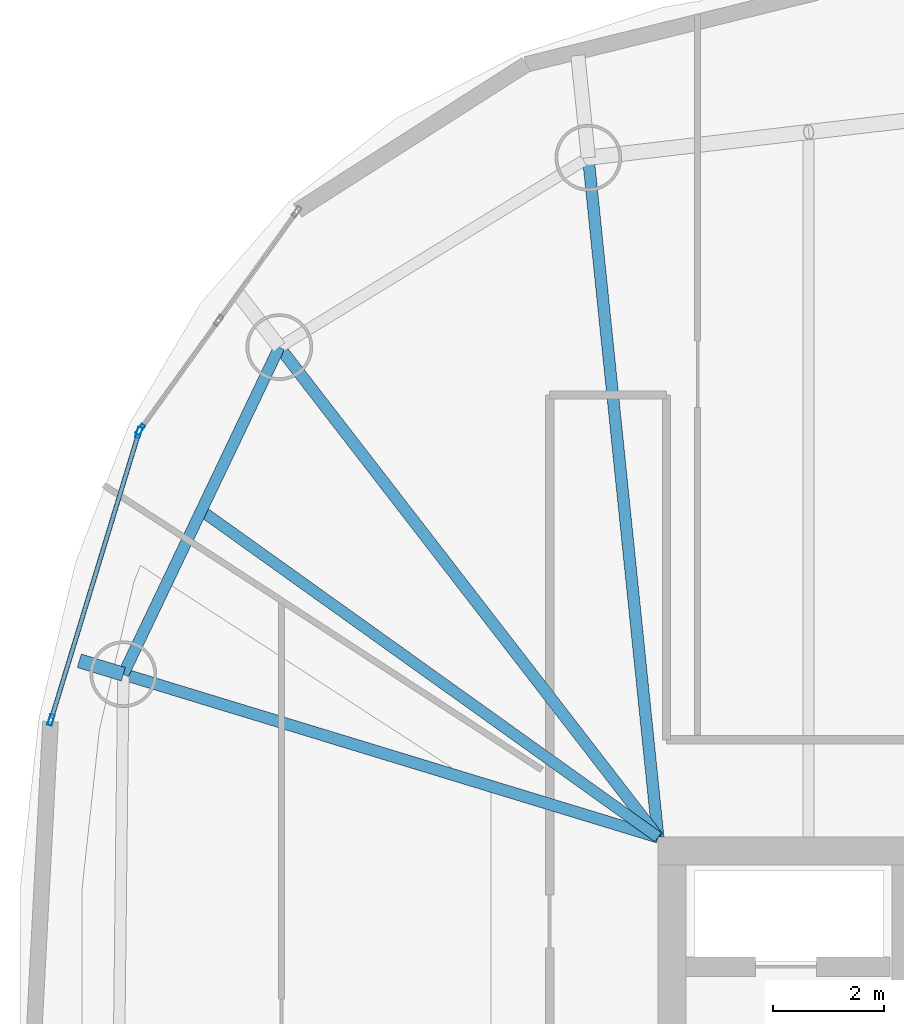
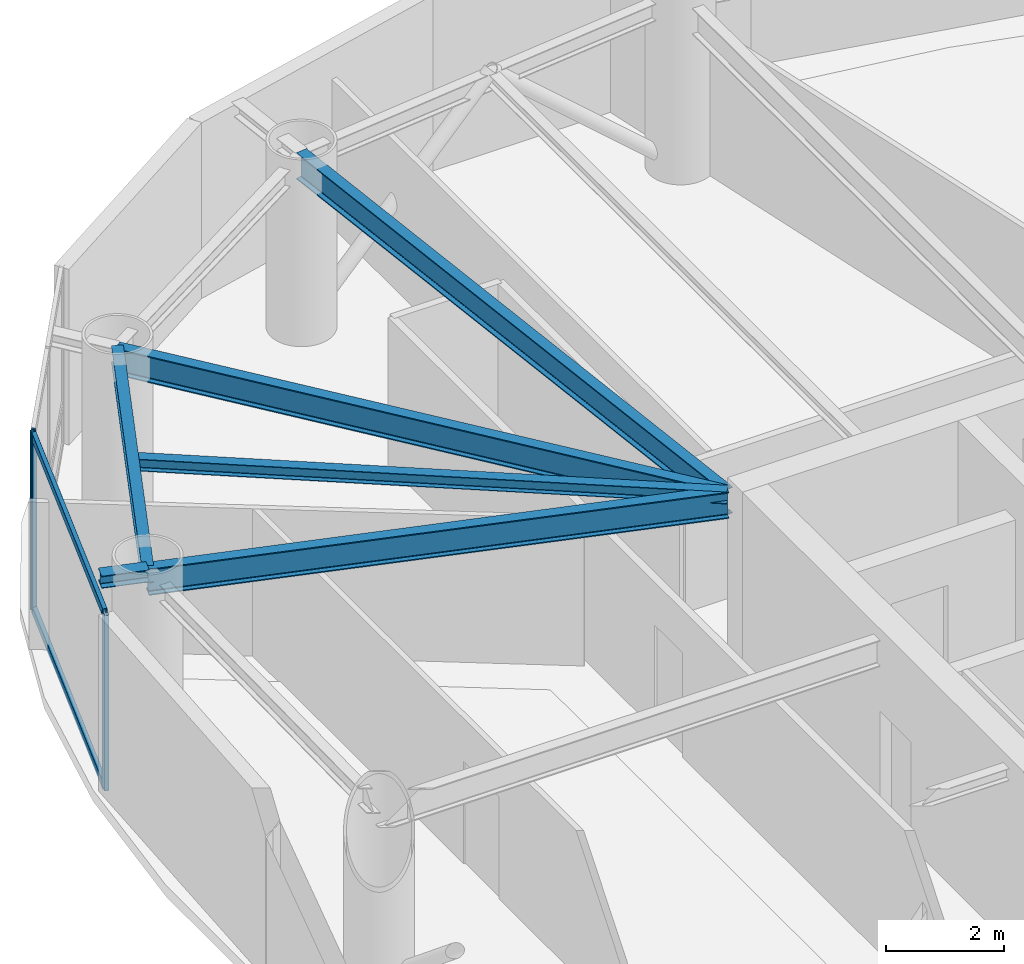
# One storey, part 7 of 19: 6 beams, 5 members, 2 elements without a shape of their own.
"""IFC4 building model written with IfcOpenShell, lengths in metres."""

from ifc_helpers import new_model, si_unit, direction, frame, origin, origin_2d, place, context, subcontext, project, spatial, hollow_rectangle, i_section, extrude, material, layer, layer_set, material_profile, profile_set, type_object, element, aggregate, save


model = new_model("IFC4")

# Units and contexts
model_context = context("Model", 3, precision=1e-05, world=origin(), true_north=direction((0.0, 1.0)))
body_context = subcontext(model_context, "Body", "Model", "MODEL_VIEW")
ifc_project = project(units=[si_unit("LENGTHUNIT", "METRE"), si_unit("AREAUNIT", "SQUARE_METRE"), si_unit("VOLUMEUNIT", "CUBIC_METRE"), si_unit("PLANEANGLEUNIT", "RADIAN"), si_unit("MASSUNIT", "GRAM", prefix="KILO")], contexts=[model_context])

# Site, building, storey
site_placement = place(None, origin())
site = spatial("IfcSite", under=ifc_project, at=site_placement, CompositionType="ELEMENT")
building_placement = place(site_placement, origin())
building = spatial("IfcBuilding", under=site, at=building_placement, Name="Bramvorn Convention Spire", CompositionType="ELEMENT")
storey_placement = place(building_placement, frame((0.0, 0.0, 217.39990234375)))
storey = spatial("IfcBuildingStorey", under=building, at=storey_placement, Name="L55", CompositionType="ELEMENT", Elevation=217.39990234375)

# Beams
ifc_material_1 = material(Name="Steel CSA G40.21 Grade 350 (350W)", Category="steel")
ifc_material_profile_1 = material_profile(ifc_material_1, i_section(OverallWidth=0.201904296875, OverallDepth=0.2470703125, WebThickness=0.00732421875, FlangeThickness=0.010986328125, FilletRadius=0.011962890625, at=origin_2d()))
ifc_profile_set_1 = profile_set([ifc_material_profile_1], Name="Steel CSA G40.21 Grade 350 (350W) - W250X49")
beam_type_1 = type_object("IfcBeamType", Name="BM-W250X49", PredefinedType="JOIST", material=ifc_profile_set_1)
beam_1_placement = place(storey_placement, frame((26.75, 33.449951171875, 3.49658203125), z_axis=(-0.813471895271, 0.581604225916, 0.0), x_axis=(-0.581604225916, -0.813471895271, 0.0)))
element("IfcBeam", 1, at=beam_1_placement, inside=storey, type_object=beam_type_1, Name="L55 composite floor joist 09", PredefinedType="JOIST", context=body_context, shape_type="SweptSolid", body=[
    extrude(i_section(OverallWidth=0.201904296875, OverallDepth=0.2470703125, WebThickness=0.00732421875, FlangeThickness=0.010986328125, FilletRadius=0.011962890625, at=origin_2d()), origin(), (0.0, 0.0, 1.0), 10.093505859375),
])
ifc_material_profile_2 = material_profile(ifc_material_1, i_section(OverallWidth=0.25390625, OverallDepth=0.2529296875, WebThickness=0.008544921875, FlangeThickness=0.01416015625, FilletRadius=0.011962890625, at=origin_2d()))
ifc_profile_set_2 = profile_set([ifc_material_profile_2], Name="Steel CSA G40.21 Grade 350 (350W) - W250X73")
beam_type_2 = type_object("IfcBeamType", Name="BM-W250X73", PredefinedType="BEAM", material=ifc_profile_set_2)
beam_2_placement = place(storey_placement, frame((17.136962890625, 36.380615234375, 3.49365234375), z_axis=(-0.956598759965, 0.291408325952, 0.0), x_axis=(-0.291408325952, -0.956598759965, 0.0)))
element("IfcBeam", 2, at=beam_2_placement, inside=storey, type_object=beam_type_2, Name="L55 slab-edge cantilever tip beam MC10", PredefinedType="BEAM", context=body_context, shape_type="SweptSolid", body=[
    extrude(i_section(OverallWidth=0.25390625, OverallDepth=0.2529296875, WebThickness=0.008544921875, FlangeThickness=0.01416015625, FilletRadius=0.011962890625, at=origin_2d()), origin(), (0.0, 0.0, 1.0), 0.826904296875),
])
ifc_material_profile_3 = material_profile(ifc_material_1, i_section(OverallWidth=0.205078125, OverallDepth=0.35400390625, WebThickness=0.009521484375, FlangeThickness=0.016845703125, FilletRadius=0.014892578125, at=origin_2d()))
ifc_profile_set_3 = profile_set([ifc_material_profile_3], Name="Steel CSA G40.21 Grade 350 (350W) - W360X79")
beam_type_3 = type_object("IfcBeamType", Name="BM-W360X79", PredefinedType="JOIST", material=ifc_profile_set_3)
beam_3_placement = place(storey_placement, frame((19.941650390625, 42.260009765625, 3.443115234375), z_axis=(-0.430556138422, -0.902563799223, 0.0), x_axis=(0.902563799223, -0.430556138422, 0.0)))
element("IfcBeam", 3, at=beam_3_placement, inside=storey, type_object=beam_type_3, Name="L55 mega-column ring beam 09", PredefinedType="JOIST", context=body_context, shape_type="SweptSolid", body=[
    extrude(i_section(OverallWidth=0.205078125, OverallDepth=0.35400390625, WebThickness=0.009521484375, FlangeThickness=0.016845703125, FilletRadius=0.014892578125, at=origin_2d()), origin(), (0.0, 0.0, 1.0), 6.51416015625),
])
ifc_material_profile_4 = material_profile(ifc_material_1, i_section(OverallWidth=0.2119140625, OverallDepth=0.5439453125, WebThickness=0.01318359375, FlangeThickness=0.021240234375, FilletRadius=0.01904296875, at=origin_2d()))
ifc_profile_set_4 = profile_set([ifc_material_profile_4], Name="Steel CSA G40.21 Grade 350 (350W) - W530X123")
beam_type_4 = type_object("IfcBeamType", Name="BM-W530X123", PredefinedType="BEAM", material=ifc_profile_set_4)
beam_4_placement = place(storey_placement, frame((26.75, 33.449951171875, 3.34814453125), z_axis=(-0.10216509146, 0.994767457292, 0.0), x_axis=(-0.994767457292, -0.10216509146, 0.0)))
element("IfcBeam", 4, at=beam_4_placement, inside=storey, type_object=beam_type_4, Name="L55 radial floor girder MC08", PredefinedType="BEAM", context=body_context, shape_type="SweptSolid", body=[
    extrude(i_section(OverallWidth=0.2119140625, OverallDepth=0.5439453125, WebThickness=0.01318359375, FlangeThickness=0.021240234375, FilletRadius=0.01904296875, at=origin_2d()), origin(), (0.0, 0.0, 1.0), 12.278076171875),
])
beam_5_placement = place(storey_placement, frame((26.75, 33.449951171875, 3.34814453125), z_axis=(-0.611479951477, 0.791259925019, 0.0), x_axis=(-0.791259925019, -0.611479951477, 0.0)))
element("IfcBeam", 5, at=beam_5_placement, inside=storey, type_object=beam_type_4, Name="L55 radial floor girder MC09", PredefinedType="BEAM", context=body_context, shape_type="SweptSolid", body=[
    extrude(i_section(OverallWidth=0.2119140625, OverallDepth=0.5439453125, WebThickness=0.01318359375, FlangeThickness=0.021240234375, FilletRadius=0.01904296875, at=origin_2d()), origin(), (0.0, 0.0, 1.0), 11.13427734375),
])
beam_6_placement = place(storey_placement, frame((26.75, 33.449951171875, 3.34814453125), z_axis=(-0.95653637984, 0.291613021044, 0.0), x_axis=(-0.291613021044, -0.95653637984, 0.0)))
element("IfcBeam", 6, at=beam_6_placement, inside=storey, type_object=beam_type_4, Name="L55 radial floor girder MC10", PredefinedType="BEAM", context=body_context, shape_type="SweptSolid", body=[
    extrude(i_section(OverallWidth=0.2119140625, OverallDepth=0.5439453125, WebThickness=0.01318359375, FlangeThickness=0.021240234375, FilletRadius=0.01904296875, at=origin_2d()), origin(), (0.0, 0.0, 1.0), 10.0498046875),
])

# Curtain wall, member
ifc_material_2 = material(Name="Anodised Bronze Unitised Curtain Wall", Category="aluminium")
ifc_layer = layer(ifc_material_2, 0.179931640625)
ifc_layer_set = layer_set([ifc_layer], Name="Anodised Bronze Unitised Curtain Wall - CW-OFF-FRIT")
curtain_wall_type = type_object("IfcCurtainWallType", Name="CW-OFF-FRIT", PredefinedType="USERDEFINED", material=ifc_layer_set)
curtain_wall_1_placement = place(storey_placement, origin())
curtain_wall_1 = element("IfcCurtainWall", 7, at=curtain_wall_1_placement, inside=storey, type_object=curtain_wall_type, Name="L55 fritted glass curtain wall 13", ObjectType="UNITISED CURTAIN WALL", PredefinedType="USERDEFINED")
ifc_material_3 = material(Name="Anodised Bronze Aluminium 6063-T6", Category="aluminium")
ifc_material_profile_5 = material_profile(ifc_material_3, hollow_rectangle(XDim=0.080078125, YDim=0.199951171875, WallThickness=0.00390625, InnerFilletRadius=0.0009765625, OuterFilletRadius=0.00390625, at=origin_2d()))
ifc_profile_set_5 = profile_set([ifc_material_profile_5], Name="Anodised Bronze Aluminium 6063-T6 - CWM80X200")
member_type_1 = type_object("IfcMemberType", Name="CW-MUL-180", PredefinedType="MULLION", material=ifc_profile_set_5)
member_1_placement = place(storey_placement, frame((17.443603515625, 40.779052734375, 0.0), z_axis=(0.0, 0.0, 1.0), x_axis=(-0.812260702788, 0.583294565984, 0.0)))
member_1 = element("IfcMember", 8, at=member_1_placement, type_object=member_type_1, Name="CW3 mullion 1", PredefinedType="MULLION", context=body_context, shape_type="SweptSolid", body=[
    extrude(hollow_rectangle(XDim=0.080078125, YDim=0.199951171875, WallThickness=0.00390625, InnerFilletRadius=0.0009765625, OuterFilletRadius=0.00390625, at=origin_2d()), origin(), (0.0, 0.0, 1.0), 3.6201171875),
])
aggregate(curtain_wall_1, [member_1])

# Curtain wall, members
curtain_wall_2_placement = place(storey_placement, origin())
curtain_wall_2 = element("IfcCurtainWall", 9, at=curtain_wall_2_placement, inside=storey, type_object=curtain_wall_type, Name="L55 fritted glass curtain wall 14", ObjectType="UNITISED CURTAIN WALL", PredefinedType="USERDEFINED")
member_2_placement = place(storey_placement, frame((15.837646484375, 35.5576171875, 0.0), z_axis=(0.0, 0.0, 1.0), x_axis=(-0.956324575348, 0.292306870575, 0.0)))
member_2 = element("IfcMember", 10, at=member_2_placement, type_object=member_type_1, Name="CW3 mullion 1", PredefinedType="MULLION", context=body_context, shape_type="SweptSolid", body=[
    extrude(hollow_rectangle(XDim=0.080078125, YDim=0.199951171875, WallThickness=0.00390625, InnerFilletRadius=0.0009765625, OuterFilletRadius=0.00390625, at=origin_2d()), origin(), (0.0, 0.0, 1.0), 3.6201171875),
])
member_3_placement = place(storey_placement, frame((17.41748046875, 40.72607421875, 0.0), z_axis=(0.0, 0.0, 1.0), x_axis=(-0.956324575348, 0.292306870575, 0.0)))
member_3 = element("IfcMember", 11, at=member_3_placement, type_object=member_type_1, Name="CW3 mullion 2", PredefinedType="MULLION", context=body_context, shape_type="SweptSolid", body=[
    extrude(hollow_rectangle(XDim=0.080078125, YDim=0.199951171875, WallThickness=0.00390625, InnerFilletRadius=0.0009765625, OuterFilletRadius=0.00390625, at=origin_2d()), origin(), (0.0, 0.0, 1.0), 3.6201171875),
])
ifc_material_profile_6 = material_profile(ifc_material_3, hollow_rectangle(XDim=0.080078125, YDim=0.159912109375, WallThickness=0.00390625, InnerFilletRadius=0.0009765625, OuterFilletRadius=0.00390625, at=origin_2d()))
ifc_profile_set_6 = profile_set([ifc_material_profile_6], Name="Anodised Bronze Aluminium 6063-T6 - CWT80X160")
member_type_2 = type_object("IfcMemberType", Name="CW-TRN-150", PredefinedType="USERDEFINED", material=ifc_profile_set_6)
member_4_placement = place(storey_placement, frame((15.846435546875, 35.58642578125, 0.030029296875), z_axis=(0.29231021785, 0.956323552225, 0.0), x_axis=(-0.956323552225, 0.29231021785, 0.0)))
member_4 = element("IfcMember", 12, at=member_4_placement, type_object=member_type_2, Name="CW3 transom 1.1", ObjectType="TRANSOM", PredefinedType="USERDEFINED", context=body_context, shape_type="SweptSolid", body=[
    extrude(hollow_rectangle(XDim=0.080078125, YDim=0.159912109375, WallThickness=0.00390625, InnerFilletRadius=0.0009765625, OuterFilletRadius=0.00390625, at=origin_2d()), origin(), (0.0, 0.0, 1.0), 5.344482421875),
])
member_5_placement = place(storey_placement, frame((15.846435546875, 35.58642578125, 3.590087890625), z_axis=(0.29231021785, 0.956323552225, 0.0), x_axis=(-0.956323552225, 0.29231021785, 0.0)))
member_5 = element("IfcMember", 13, at=member_5_placement, type_object=member_type_2, Name="CW3 transom 1.2", ObjectType="TRANSOM", PredefinedType="USERDEFINED", context=body_context, shape_type="SweptSolid", body=[
    extrude(hollow_rectangle(XDim=0.080078125, YDim=0.159912109375, WallThickness=0.00390625, InnerFilletRadius=0.0009765625, OuterFilletRadius=0.00390625, at=origin_2d()), origin(), (0.0, 0.0, 1.0), 5.344482421875),
])
aggregate(curtain_wall_2, [member_2, member_3, member_4, member_5])

save(model, "model.ifc")
